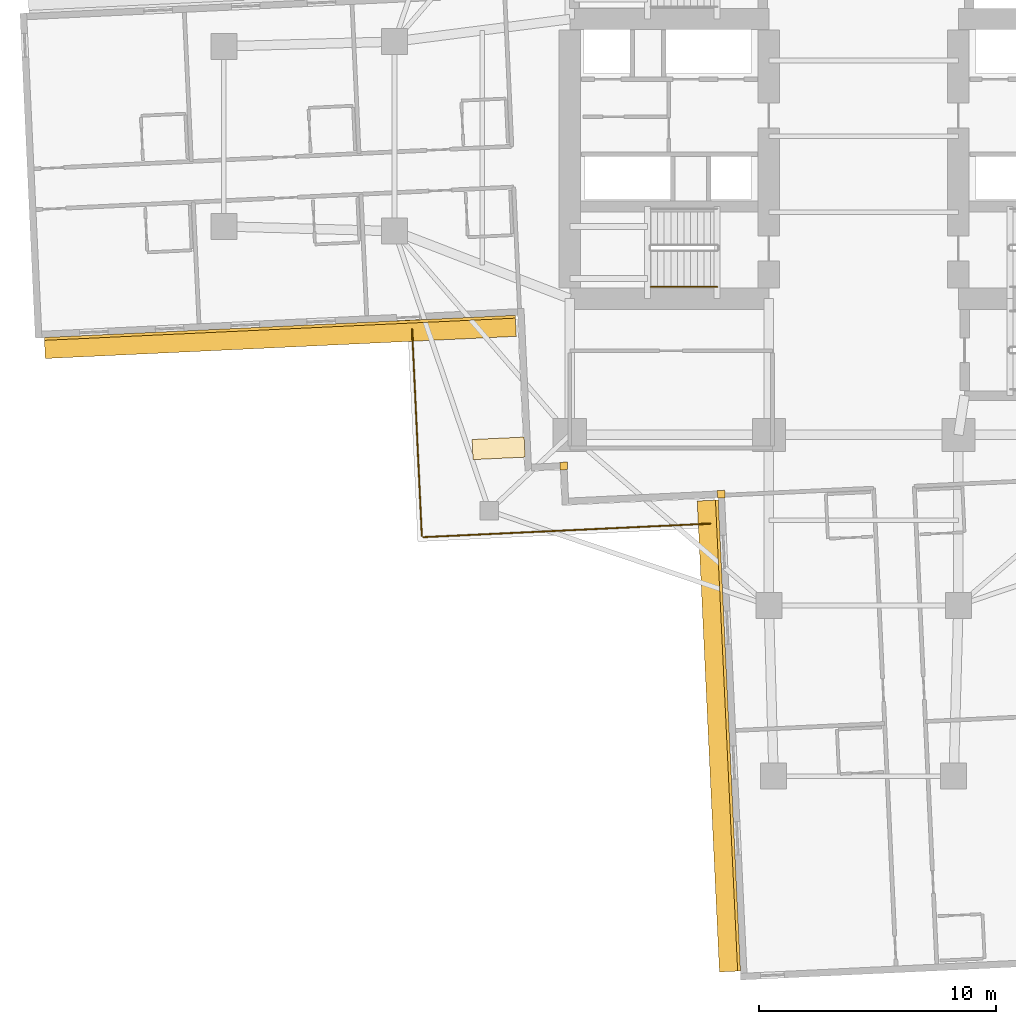
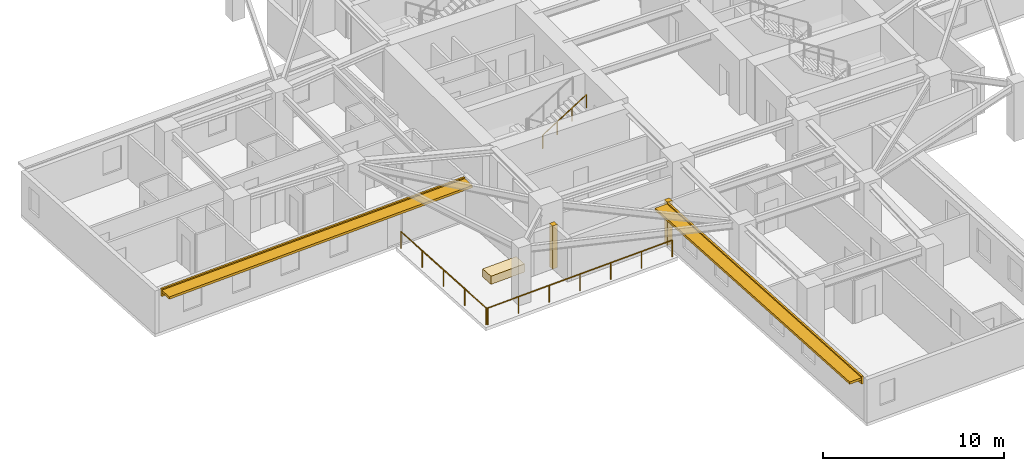
# One storey, part 10 of 14: 5 coverings, 3 railings, 2 shading devices.
"""IFC4 building model written with IfcOpenShell, lengths in metres."""

from ifc_helpers import new_model, si_unit, direction, frame, origin, origin_2d, place, context, subcontext, project, spatial, rectangle, circle, extrude, material, layer, layer_set, type_object, element, save


model = new_model("IFC4")

# Units and contexts
model_context = context("Model", 3, precision=1e-05, world=origin(), true_north=direction((0.0, 1.0)))
body_context = subcontext(model_context, "Body", "Model", "MODEL_VIEW")
ifc_project = project(units=[si_unit("LENGTHUNIT", "METRE"), si_unit("AREAUNIT", "SQUARE_METRE"), si_unit("VOLUMEUNIT", "CUBIC_METRE"), si_unit("PLANEANGLEUNIT", "RADIAN"), si_unit("MASSUNIT", "GRAM", prefix="KILO")], contexts=[model_context])

# Site, building, storey
site_placement = place(None, origin())
site = spatial("IfcSite", under=ifc_project, at=site_placement, CompositionType="ELEMENT")
building_placement = place(site_placement, origin())
building = spatial("IfcBuilding", under=site, at=building_placement, Name="Qingluan Cross Belvedere", CompositionType="ELEMENT")
storey_placement = place(building_placement, frame((0.0, 0.0, 52.199951171875)))
storey = spatial("IfcBuildingStorey", under=building, at=storey_placement, Name="L13", CompositionType="ELEMENT", Elevation=52.199951171875)

# Coverings
ifc_material_1 = material(Name="Precast concrete C45", Category="concrete")
ifc_layer_1 = layer(ifc_material_1, 0.1201171875, Name="ConcreteSpandrelCladding_120")
ifc_layer_set_1 = layer_set([ifc_layer_1], Name="Precast concrete C45")
covering_type_1 = type_object("IfcCoveringType", Name="ConcreteSpandrelCladding_120", PredefinedType="CLADDING", material=ifc_layer_set_1)
for number, where, z_axis, x_axis, name in (
    (1, (-24.63671875, -8.07958984375, 2.449951171875), (0.0, 0.0, 1.0), (0.998889958255, 0.047104684445, 0.0), "Spandrel cladding L13-WB"),
    (2, (-5.72509765625, -25.287841796875, 2.449951171875), (0.0, 0.0, 1.0), (0.04710941444, -0.998889735192, 0.0), "Spandrel cladding L13-SA"),
):
    element("IfcCovering", number, at=place(storey_placement, frame(where, z_axis=z_axis, x_axis=x_axis)), inside=storey, type_object=covering_type_1, Name=name, PredefinedType="CLADDING", context=body_context, shape_type="SweptSolid", body=[
        extrude(rectangle(XDim=19.89990234375, YDim=0.1201171875, at=origin_2d()), origin(), (0.0, 0.0, 1.0), 0.52001953125),
    ])
for number, where, z_axis, x_axis, name in (
    (3, (-12.65869140625, -13.911865234375, 0.0), (0.0, 0.0, 1.0), (0.998889874962, 0.04710645071, 0.0), "Corner closure L13-SW1"),
    (4, (-6.015380859375, -15.10009765625, 0.0), (0.0, 0.0, 1.0), (0.998889874962, 0.04710645071, 0.0), "Corner closure L13-SW2"),
):
    element("IfcCovering", number, at=place(storey_placement, frame(where, z_axis=z_axis, x_axis=x_axis)), inside=storey, type_object=covering_type_1, Name=name, PredefinedType="CLADDING", context=body_context, shape_type="SweptSolid", body=[
        extrude(rectangle(XDim=0.320068359375, YDim=0.320068359375, at=origin_2d()), origin(), (0.0, 0.0, 1.0), 2.909912109375),
    ])

# Shading devices
ifc_material_2 = material(Name="Precast concrete C45", Category="concrete")
ifc_layer_2 = layer(ifc_material_2, 0.159912109375, Name="ConcreteSunshadeBand_900")
ifc_layer_set_2 = layer_set([ifc_layer_2], Name="Precast concrete C45")
shading_device_type = type_object("IfcShadingDeviceType", Name="ConcreteSunshadeBand_900", PredefinedType="USERDEFINED", material=ifc_layer_set_2)
for number, where, z_axis, x_axis, name in (
    (5, (-24.618896484375, -8.458984375, 2.72998046875), (0.0, 0.0, 1.0), (0.998889958255, 0.047104684445, 0.0), "Concrete SUNSHADE L13-WB"),
    (6, (-6.104736328125, -25.3056640625, 2.72998046875), (0.0, 0.0, 1.0), (0.04710941444, -0.998889735192, 0.0), "Concrete SUNSHADE L13-SA"),
):
    element("IfcShadingDevice", number, at=place(storey_placement, frame(where, z_axis=z_axis, x_axis=x_axis)), inside=storey, type_object=shading_device_type, Name=name, ObjectType="SUNSHADE", PredefinedType="USERDEFINED", context=body_context, shape_type="SweptSolid", body=[
        extrude(rectangle(XDim=19.89990234375, YDim=0.89990234375, at=origin_2d()), origin(), (0.0, 0.0, 1.0), 0.159912109375),
    ])

# Railings
ifc_material_3 = material(Name="Brushed stainless steel tubular handrail", Category="steel")
railing_type_1 = type_object("IfcRailingType", Name="StairPitchHandrail_900", PredefinedType="HANDRAIL", material=ifc_material_3)
railing_1_placement = place(storey_placement, frame((-8.97998046875, -6.35009765625, 2.12744140625)))
element("IfcRailing", 7, at=railing_1_placement, inside=storey, type_object=railing_type_1, Name="L13 ST1 stair handrail 2", PredefinedType="HANDRAIL", context=body_context, shape_type="SweptSolid", body=[
    extrude(circle(Radius=0.02392578125, at=origin_2d()), frame((0.0, 0.0, 0.8759765625), z_axis=(0.844908973607, 0.0, 0.534910110503), x_axis=(0.0, 1.0, 0.0)), (0.0, 0.0, 1.0), 3.31396484375),
    extrude(circle(Radius=0.02099609375, at=origin_2d()), origin(), (0.0, 0.0, 1.0), 0.851806640625),
    extrude(circle(Radius=0.02099609375, at=origin_2d()), frame((0.933349609375, 0.0, 0.5908203125)), (0.0, 0.0, 1.0), 0.851806640625),
    extrude(circle(Radius=0.02099609375, at=origin_2d()), frame((1.86669921875, 0.0, 1.181884765625)), (0.0, 0.0, 1.0), 0.851806640625),
    extrude(circle(Radius=0.02099609375, at=origin_2d()), frame((2.800048828125, 0.0, 1.772705078125)), (0.0, 0.0, 1.0), 0.851806640625),
])
ifc_material_4 = material(Name="Laminated glass and stainless steel balustrade", Category="steel")
railing_type_2 = type_object("IfcRailingType", Name="TerraceGuardBalustrade_1150", PredefinedType="BALUSTRADE", material=ifc_material_4)
railing_2_placement = place(storey_placement, frame((-6.477294921875, -16.34326171875, 0.0)))
element("IfcRailing", 8, at=railing_2_placement, inside=storey, type_object=railing_type_2, Name="Terrace guard L13-1", PredefinedType="BALUSTRADE", context=body_context, shape_type="SweptSolid", body=[
    extrude(circle(Radius=0.02392578125, at=origin_2d()), frame((0.0, 0.0, 1.1259765625), z_axis=(-0.998889411148, -0.047116284841, 0.0), x_axis=(0.047116284841, -0.998889411148, 0.0)), (0.0, 0.0, 1.0), 12.119873046875),
    extrude(circle(Radius=0.02099609375, at=origin_2d()), origin(), (0.0, 0.0, 1.0), 1.101806640625),
    extrude(circle(Radius=0.02099609375, at=origin_2d()), frame((-2.017822265625, -0.09521484375, 0.0)), (0.0, 0.0, 1.0), 1.101806640625),
    extrude(circle(Radius=0.02099609375, at=origin_2d()), frame((-4.035400390625, -0.1904296875, 0.0)), (0.0, 0.0, 1.0), 1.101806640625),
    extrude(circle(Radius=0.02099609375, at=origin_2d()), frame((-6.05322265625, -0.28564453125, 0.0)), (0.0, 0.0, 1.0), 1.101806640625),
    extrude(circle(Radius=0.02099609375, at=origin_2d()), frame((-8.071044921875, -0.380615234375, 0.0)), (0.0, 0.0, 1.0), 1.101806640625),
    extrude(circle(Radius=0.02099609375, at=origin_2d()), frame((-10.088623046875, -0.475830078125, 0.0)), (0.0, 0.0, 1.0), 1.101806640625),
    extrude(circle(Radius=0.02099609375, at=origin_2d()), frame((-12.1064453125, -0.571044921875, 0.0)), (0.0, 0.0, 1.0), 1.101806640625),
])
railing_3_placement = place(storey_placement, frame((-18.646484375, -16.857177734375, 0.0)))
element("IfcRailing", 9, at=railing_3_placement, inside=storey, type_object=railing_type_2, Name="Terrace guard L13-2", PredefinedType="BALUSTRADE", context=body_context, shape_type="SweptSolid", body=[
    extrude(circle(Radius=0.02392578125, at=origin_2d()), frame((0.0, 0.0, 1.1259765625), z_axis=(-0.047119530839, 0.998889258033, 0.0), x_axis=(-0.998889258033, -0.047119530839, 0.0)), (0.0, 0.0, 1.0), 8.72021484375),
    extrude(circle(Radius=0.02099609375, at=origin_2d()), origin(), (0.0, 0.0, 1.0), 1.101806640625),
    extrude(circle(Radius=0.02099609375, at=origin_2d()), frame((-0.102783203125, 2.177734375, 0.0)), (0.0, 0.0, 1.0), 1.101806640625),
    extrude(circle(Radius=0.02099609375, at=origin_2d()), frame((-0.20556640625, 4.355224609375, 0.0)), (0.0, 0.0, 1.0), 1.101806640625),
    extrude(circle(Radius=0.02099609375, at=origin_2d()), frame((-0.30810546875, 6.53271484375, 0.0)), (0.0, 0.0, 1.0), 1.101806640625),
    extrude(circle(Radius=0.02099609375, at=origin_2d()), frame((-0.410888671875, 8.71044921875, 0.0)), (0.0, 0.0, 1.0), 1.101806640625),
])

# Covering
ifc_material_5 = material(Name="Precast concrete C40", Category="concrete")
ifc_layer_3 = layer(ifc_material_5, 0.550048828125, Name="TerracePlanterBox")
ifc_layer_set_3 = layer_set([ifc_layer_3], Name="Precast concrete C40")
covering_type_2 = type_object("IfcCoveringType", Name="TerracePlanterBox", PredefinedType="USERDEFINED", material=ifc_layer_set_3)
covering_placement = place(storey_placement, frame((-15.406005859375, -13.166015625, 0.0), z_axis=(0.0, 0.0, 1.0), x_axis=(0.998889874962, 0.04710645071, 0.0)))
element("IfcCovering", 10, at=covering_placement, inside=storey, type_object=covering_type_2, Name="Spiralling winter-garden planter L13", ObjectType="PLANTER", PredefinedType="USERDEFINED", context=body_context, shape_type="SweptSolid", body=[
    extrude(rectangle(XDim=2.199951171875, YDim=0.85009765625, at=origin_2d()), origin(), (0.0, 0.0, 1.0), 0.550048828125),
])

save(model, "model.ifc")
